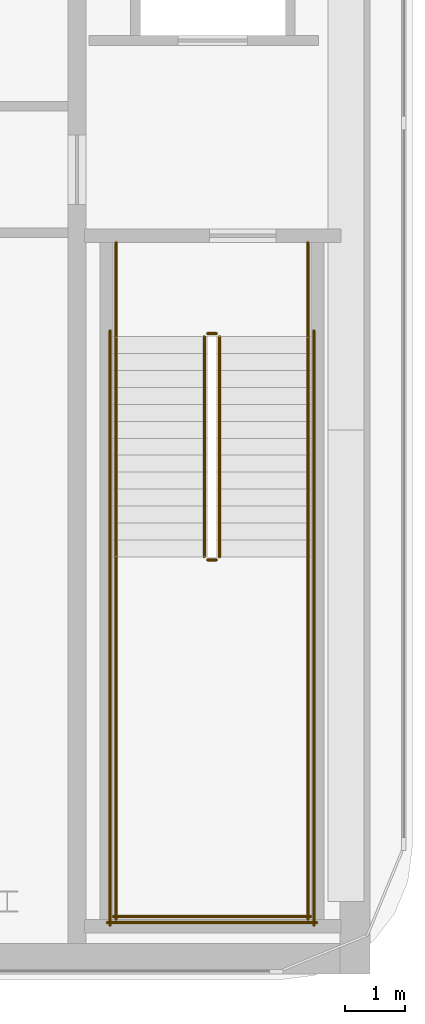
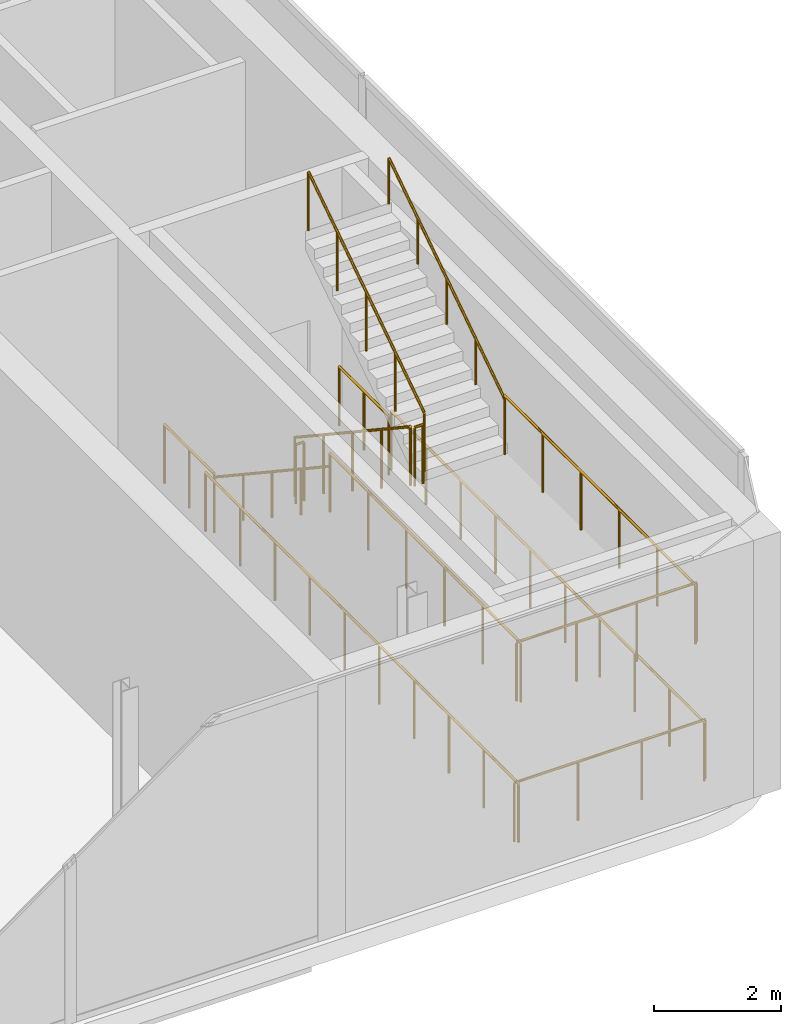
# One storey, part 13 of 14: 14 railings.
"""IFC4 building model written with IfcOpenShell, lengths in metres."""

import ifcopenshell
import ifcopenshell.guid

model = None  # the IFC model being written
_history = None  # IfcOwnerHistory: only IFC2X3 demands one
_inside = {}  # id of a spatial element -> (the spatial element, [elements in it])
_under = {}  # id of a project, library or spatial element -> (it, [spatial elements below it])
_declared = {}  # id of a project -> (the project, [libraries it declares])
_typed = {}  # id of a type object -> (the type object, [elements of that type])
_made_of = {}  # id of a material, layer set ... -> (it, [elements and type objects made of it])


def new_model(schema):
    """Start an empty IFC model of exactly this schema.

    Asked for "IFC4X3", IfcOpenShell would pick the latest addendum, in which some entities
    have other attributes; the version numbers below select the first issue.
    IFC2X3 requires an IfcOwnerHistory on every rooted entity: one is made here for all.
    """
    global model, _history
    if schema == "IFC4X3":
        model = ifcopenshell.file(schema_version=(4, 3, 0, 0))
    else:
        model = ifcopenshell.file(schema=schema)
    _inside.clear()
    _under.clear()
    _declared.clear()
    _typed.clear()
    _made_of.clear()
    _history = None
    if model.schema == "IFC2X3":
        org = make("IfcOrganization", Name="unknown")
        user = make(
            "IfcPersonAndOrganization",
            ThePerson=make("IfcPerson", FamilyName="unknown"),
            TheOrganization=org,
        )
        app = make(
            "IfcApplication",
            ApplicationDeveloper=org,
            Version="unknown",
            ApplicationFullName="unknown",
            ApplicationIdentifier="unknown",
        )
        _history = make(
            "IfcOwnerHistory",
            OwningUser=user,
            OwningApplication=app,
            ChangeAction="ADDED",
            CreationDate=0,
        )
    return model


def make(cls, **values):
    """One entity of the class cls with the attributes given. An attribute that is None is left unset."""
    return model.create_entity(
        cls, **{name: value for name, value in values.items() if value is not None}
    )


def rooted(cls, **values):
    """An entity with a GlobalId (a new one), such as an element, a storey or a relation."""
    return make(cls, GlobalId=ifcopenshell.guid.new(), OwnerHistory=_history, **values)


def si_unit(unit_type, name, prefix=None):
    """IfcSIUnit, for example si_unit("LENGTHUNIT", "METRE", prefix="MILLI")."""
    return make("IfcSIUnit", UnitType=unit_type, Prefix=prefix, Name=name)


def assignment(units):
    """IfcUnitAssignment: the units of a project."""
    return None if units is None else make("IfcUnitAssignment", Units=units)


def point(xyz):
    """IfcCartesianPoint."""
    return None if xyz is None else make("IfcCartesianPoint", Coordinates=xyz)


def direction(xyz):
    """IfcDirection."""
    return None if xyz is None else make("IfcDirection", DirectionRatios=xyz)


def frame(location, z_axis=None, x_axis=None):
    """IfcAxis2Placement3D, a coordinate frame: its origin and axes. An axis left out is left unset."""
    return make(
        "IfcAxis2Placement3D",
        Location=point(location),
        Axis=direction(z_axis),
        RefDirection=direction(x_axis),
    )


def frame_2d(location, x_axis=None):
    """IfcAxis2Placement2D, a coordinate frame in the plane: its origin and x axis."""
    return make(
        "IfcAxis2Placement2D", Location=point(location), RefDirection=direction(x_axis)
    )


def origin():
    """The frame at (0, 0, 0) with its axes left unset."""
    return frame((0.0, 0.0, 0.0))


def origin_2d():
    """The frame at (0, 0) in the plane with its x axis left unset."""
    return frame_2d((0.0, 0.0))


def place(relative_to, where):
    """IfcLocalPlacement: puts the frame where relative to a parent placement (None: the world)."""
    return make(
        "IfcLocalPlacement", PlacementRelTo=relative_to, RelativePlacement=where
    )


def context(
    kind, dimensions, precision=None, world=None, true_north=None, identifier=None
):
    """IfcGeometricRepresentationContext, for example the 3D "Model" context."""
    return make(
        "IfcGeometricRepresentationContext",
        ContextIdentifier=identifier,
        ContextType=kind,
        CoordinateSpaceDimension=dimensions,
        Precision=precision,
        WorldCoordinateSystem=world,
        TrueNorth=true_north,
    )


def subcontext(parent, identifier, kind, view, scale=None):
    """IfcGeometricRepresentationSubContext, for example "Body" below "Model"."""
    return make(
        "IfcGeometricRepresentationSubContext",
        ContextIdentifier=identifier,
        ContextType=kind,
        ParentContext=parent,
        TargetScale=scale,
        TargetView=view,
    )


def project(units=None, contexts=None):
    """IfcProject with its units and contexts."""
    return rooted(
        "IfcProject",
        Name="project",
        RepresentationContexts=contexts,
        UnitsInContext=assignment(units),
    )


def spatial(cls, under=None, at=None, **own):
    """A site, building, storey or space (cls), placed at a placement, below another one or the project."""
    s = rooted(cls, ObjectPlacement=at, **own)
    if under is not None:
        _under.setdefault(under.id(), (under, []))[1].append(s)
    return s


def profile(cls, at=None, kind="AREA", **sizes):
    """A parametric profile (cls). Its sizes go by their IFC names, for example OverallWidth=200.0."""
    return make(cls, ProfileType=kind, Position=at, **sizes)


def circle(**sizes):
    """IfcCircleProfileDef."""
    return profile("IfcCircleProfileDef", **sizes)


def extrude(swept, where, along, depth):
    """IfcExtrudedAreaSolid: the profile swept, set in the frame where, extruded along a direction by depth."""
    return make(
        "IfcExtrudedAreaSolid",
        SweptArea=swept,
        Position=where,
        ExtrudedDirection=direction(along),
        Depth=depth,
    )


def shape(context_of_items, identifier, shape_type, items):
    """IfcShapeRepresentation: the items that make up one representation, for example the "Body"."""
    return make(
        "IfcShapeRepresentation",
        ContextOfItems=context_of_items,
        RepresentationIdentifier=identifier,
        RepresentationType=shape_type,
        Items=items,
    )


def material(Name=None, Category=None):
    """IfcMaterial."""
    return make("IfcMaterial", Name=Name, Category=Category)


def made_of(thing, what):
    """Note that an element or type object is made of a material, layer set ...; save() writes the relation."""
    if what is not None:
        _made_of.setdefault(what.id(), (what, []))[1].append(thing)
    return thing


def type_object(cls, material=None, **own):
    """A type object (cls), such as IfcWallType, which elements share."""
    return made_of(rooted(cls, **own), material)


def element(
    cls,
    number,
    at=None,
    inside=None,
    cuts=None,
    type_object=None,
    material=None,
    context=None,
    identifier="Body",
    shape_type=None,
    held_by="IfcProductDefinitionShape",
    body=None,
    shapes=None,
    **own,
):
    """One element of the class cls, such as IfcWall. Its Tag is "e" and its number.

    at: its placement. inside: the storey or other place that contains it. cuts: it is an
    opening in that element (IfcRelVoidsElement). A single representation is given by context,
    identifier, shape_type and body (its items); several are given by shapes. held_by: the class
    of the entity that holds the representations. save() writes the other relations.
    """
    e = rooted(cls, Tag="e%d" % number, ObjectPlacement=at, **own)
    if body is not None:
        shapes = [shape(context, identifier, shape_type, body)]
    if shapes is not None:
        e.Representation = make(held_by, Representations=shapes)
    if inside is not None:
        _inside.setdefault(inside.id(), (inside, []))[1].append(e)
    if cuts is not None:
        rooted(
            "IfcRelVoidsElement", RelatingBuildingElement=cuts, RelatedOpeningElement=e
        )
    if type_object is not None:
        _typed.setdefault(type_object.id(), (type_object, []))[1].append(e)
    return made_of(e, material)


def aggregate(whole, parts):
    """IfcRelAggregates: a whole, such as a stair, and the parts it consists of."""
    return rooted("IfcRelAggregates", RelatingObject=whole, RelatedObjects=parts)


def save(model, path):
    """Write the relations noted so far, then the file.

    IfcRelAggregates (storeys below a building ...), IfcRelContainedInSpatialStructure (elements
    in a storey), IfcRelDefinesByType, IfcRelAssociatesMaterial and IfcRelDeclares: one each for
    every whole, place, type object, material and project.
    """
    for whole, parts in _under.values():
        aggregate(whole, parts)
    for where, things in _inside.values():
        rooted(
            "IfcRelContainedInSpatialStructure",
            RelatedElements=things,
            RelatingStructure=where,
        )
    for kind, things in _typed.values():
        rooted("IfcRelDefinesByType", RelatedObjects=things, RelatingType=kind)
    for what, things in _made_of.values():
        rooted("IfcRelAssociatesMaterial", RelatedObjects=things, RelatingMaterial=what)
    for by, libraries in _declared.values():
        rooted("IfcRelDeclares", RelatingContext=by, RelatedDefinitions=libraries)
    model.write(path)


model = new_model("IFC4")

# Units and contexts
model_context = context("Model", 3, precision=1e-05, world=origin(), true_north=direction((0.0, 1.0)))
body_context = subcontext(model_context, "Body", "Model", "MODEL_VIEW")
ifc_project = project(units=[si_unit("LENGTHUNIT", "METRE"), si_unit("AREAUNIT", "SQUARE_METRE"), si_unit("VOLUMEUNIT", "CUBIC_METRE"), si_unit("PLANEANGLEUNIT", "RADIAN"), si_unit("MASSUNIT", "GRAM", prefix="KILO")], contexts=[model_context])

# Site, building, storey
site_placement = place(None, origin())
site = spatial("IfcSite", under=ifc_project, at=site_placement, CompositionType="ELEMENT")
building_placement = place(site_placement, origin())
building = spatial("IfcBuilding", under=site, at=building_placement, Name="Khairoan Windgate Tower", CompositionType="ELEMENT")
storey_placement = place(building_placement, frame((0.0, 0.0, 325.199951171875)))
storey = spatial("IfcBuildingStorey", under=building, at=storey_placement, Name="L78", CompositionType="ELEMENT", Elevation=325.199951171875)

# Railings
ifc_material_1 = material(Name="Anodised Bronze Aluminium 6063-T6", Category="aluminium")
railing_type_1 = type_object("IfcRailingType", Name="Stair Wall Handrail SHR-900", PredefinedType="HANDRAIL", material=ifc_material_1)
railing_1_placement = place(storey_placement, frame((16.199951171875, -9.260009765625, 0.185791015625)))
element("IfcRailing", 1, at=railing_1_placement, inside=storey, type_object=railing_type_1, Name="L78 ST1 stair handrail 1", PredefinedType="HANDRAIL", context=body_context, shape_type="SweptSolid", body=[
    extrude(circle(Radius=0.02392578125, at=origin_2d()), frame((0.0, 0.0, 0.8759765625), z_axis=(0.0, -0.833346510843, 0.552750932036), x_axis=(1.0, 0.0, 0.0)), (0.0, 0.0, 1.0), 4.367919921875),
    extrude(circle(Radius=0.02099609375, at=origin_2d()), origin(), (0.0, 0.0, 1.0), 0.851806640625),
    extrude(circle(Radius=0.02099609375, at=origin_2d()), frame((0.0, -0.909912109375, 0.603515625)), (0.0, 0.0, 1.0), 0.851806640625),
    extrude(circle(Radius=0.02099609375, at=origin_2d()), frame((0.0, -1.81982421875, 1.20703125)), (0.0, 0.0, 1.0), 0.851806640625),
    extrude(circle(Radius=0.02099609375, at=origin_2d()), frame((0.0, -2.72998046875, 1.810791015625)), (0.0, 0.0, 1.0), 0.851806640625),
    extrude(circle(Radius=0.02099609375, at=origin_2d()), frame((0.0, -3.639892578125, 2.414306640625)), (0.0, 0.0, 1.0), 0.851806640625),
])
railing_2_placement = place(storey_placement, frame((19.3701171875, -12.89990234375, 2.78564453125)))
element("IfcRailing", 2, at=railing_2_placement, inside=storey, type_object=railing_type_1, Name="L78 ST1 stair handrail 2", PredefinedType="HANDRAIL", context=body_context, shape_type="SweptSolid", body=[
    extrude(circle(Radius=0.02392578125, at=origin_2d()), frame((0.0, 0.0, 0.8759765625), z_axis=(0.0, 0.833346510843, 0.552750932036), x_axis=(-1.0, 0.0, 0.0)), (0.0, 0.0, 1.0), 4.367919921875),
    extrude(circle(Radius=0.02099609375, at=origin_2d()), origin(), (0.0, 0.0, 1.0), 0.851806640625),
    extrude(circle(Radius=0.02099609375, at=origin_2d()), frame((0.0, 0.909912109375, 0.603515625)), (0.0, 0.0, 1.0), 0.851806640625),
    extrude(circle(Radius=0.02099609375, at=origin_2d()), frame((0.0, 1.81982421875, 1.20703125)), (0.0, 0.0, 1.0), 0.851806640625),
    extrude(circle(Radius=0.02099609375, at=origin_2d()), frame((0.0, 2.72998046875, 1.810791015625)), (0.0, 0.0, 1.0), 0.851806640625),
    extrude(circle(Radius=0.02099609375, at=origin_2d()), frame((0.0, 3.639892578125, 2.414306640625)), (0.0, 0.0, 1.0), 0.851806640625),
])
ifc_material_2 = material(Name="Steel S355", Category="steel")
railing_type_2 = type_object("IfcRailingType", Name="Stairwell Safety Guardrail SGR-1150", PredefinedType="GUARDRAIL", material=ifc_material_2)
railing_3_placement = place(storey_placement, frame((17.659912109375, -9.260009765625, 0.185791015625)))
element("IfcRailing", 3, at=railing_3_placement, inside=storey, type_object=railing_type_2, Name="L78 ST1 stair guard 1", PredefinedType="GUARDRAIL", context=body_context, shape_type="SweptSolid", body=[
    extrude(circle(Radius=0.02392578125, at=origin_2d()), frame((0.0, 0.0, 1.1259765625), z_axis=(0.0, -0.833346510843, 0.552750932036), x_axis=(1.0, 0.0, 0.0)), (0.0, 0.0, 1.0), 4.367919921875),
    extrude(circle(Radius=0.02099609375, at=origin_2d()), origin(), (0.0, 0.0, 1.0), 1.101806640625),
    extrude(circle(Radius=0.02099609375, at=origin_2d()), frame((0.0, -0.909912109375, 0.603515625)), (0.0, 0.0, 1.0), 1.101806640625),
    extrude(circle(Radius=0.02099609375, at=origin_2d()), frame((0.0, -1.81982421875, 1.20703125)), (0.0, 0.0, 1.0), 1.101806640625),
    extrude(circle(Radius=0.02099609375, at=origin_2d()), frame((0.0, -2.72998046875, 1.810791015625)), (0.0, 0.0, 1.0), 1.101806640625),
    extrude(circle(Radius=0.02099609375, at=origin_2d()), frame((0.0, -3.639892578125, 2.414306640625)), (0.0, 0.0, 1.0), 1.101806640625),
])
railing_4_placement = place(storey_placement, frame((17.7099609375, -12.949951171875, 2.60009765625)))
element("IfcRailing", 4, at=railing_4_placement, inside=storey, type_object=railing_type_2, Name="L78 ST1 stair guard 2", PredefinedType="GUARDRAIL", context=body_context, shape_type="SweptSolid", body=[
    extrude(circle(Radius=0.02392578125, at=origin_2d()), frame((0.0, 0.0, 1.1259765625), z_axis=(1.0, 0.0, 0.0), x_axis=(0.0, 1.0, 0.0)), (0.0, 0.0, 1.0), 0.150146484375),
    extrude(circle(Radius=0.02099609375, at=origin_2d()), origin(), (0.0, 0.0, 1.0), 1.101806640625),
    extrude(circle(Radius=0.02099609375, at=origin_2d()), frame((0.150146484375, 0.0, 0.0)), (0.0, 0.0, 1.0), 1.101806640625),
])
for number, where, name in (
    (5, (16.199951171875, -12.89990234375, 2.60009765625), "L78 ST1 stair guard 3"),
    (6, (19.3701171875, -12.89990234375, 2.60009765625), "L78 ST1 stair guard 4"),
):
    element("IfcRailing", number, at=place(storey_placement, frame(where)), inside=storey, type_object=railing_type_2, Name=name, PredefinedType="GUARDRAIL", context=body_context, shape_type="SweptSolid", body=[
        extrude(circle(Radius=0.02392578125, at=origin_2d()), frame((0.0, 0.0, 1.1259765625), z_axis=(0.0, -1.0, 0.0), x_axis=(1.0, 0.0, 0.0)), (0.0, 0.0, 1.0), 6.0),
        extrude(circle(Radius=0.02099609375, at=origin_2d()), origin(), (0.0, 0.0, 1.0), 1.101806640625),
        extrude(circle(Radius=0.02099609375, at=origin_2d()), frame((0.0, -1.199951171875, 0.0)), (0.0, 0.0, 1.0), 1.101806640625),
        extrude(circle(Radius=0.02099609375, at=origin_2d()), frame((0.0, -2.39990234375, 0.0)), (0.0, 0.0, 1.0), 1.101806640625),
        extrude(circle(Radius=0.02099609375, at=origin_2d()), frame((0.0, -3.60009765625, 0.0)), (0.0, 0.0, 1.0), 1.101806640625),
        extrude(circle(Radius=0.02099609375, at=origin_2d()), frame((0.0, -4.800048828125, 0.0)), (0.0, 0.0, 1.0), 1.101806640625),
        extrude(circle(Radius=0.02099609375, at=origin_2d()), frame((0.0, -6.0, 0.0)), (0.0, 0.0, 1.0), 1.101806640625),
    ])
railing_5_placement = place(storey_placement, frame((16.14990234375, -18.85009765625, 2.60009765625)))
element("IfcRailing", 7, at=railing_5_placement, inside=storey, type_object=railing_type_2, Name="L78 ST1 stair guard 5", PredefinedType="GUARDRAIL", context=body_context, shape_type="SweptSolid", body=[
    extrude(circle(Radius=0.02392578125, at=origin_2d()), frame((0.0, 0.0, 1.1259765625), z_axis=(1.0, 0.0, 0.0), x_axis=(0.0, 1.0, 0.0)), (0.0, 0.0, 1.0), 3.27001953125),
    extrude(circle(Radius=0.02099609375, at=origin_2d()), origin(), (0.0, 0.0, 1.0), 1.101806640625),
    extrude(circle(Radius=0.02099609375, at=origin_2d()), frame((1.090087890625, 0.0, 0.0)), (0.0, 0.0, 1.0), 1.101806640625),
    extrude(circle(Radius=0.02099609375, at=origin_2d()), frame((2.179931640625, 0.0, 0.0)), (0.0, 0.0, 1.0), 1.101806640625),
    extrude(circle(Radius=0.02099609375, at=origin_2d()), frame((3.27001953125, 0.0, 0.0)), (0.0, 0.0, 1.0), 1.101806640625),
])
railing_6_placement = place(storey_placement, frame((17.909912109375, -12.89990234375, 2.78564453125)))
element("IfcRailing", 8, at=railing_6_placement, inside=storey, type_object=railing_type_2, Name="L78 ST1 stair guard 6", PredefinedType="GUARDRAIL", context=body_context, shape_type="SweptSolid", body=[
    extrude(circle(Radius=0.02392578125, at=origin_2d()), frame((0.0, 0.0, 1.1259765625), z_axis=(0.0, 0.833346510843, 0.552750932036), x_axis=(-1.0, 0.0, 0.0)), (0.0, 0.0, 1.0), 4.367919921875),
    extrude(circle(Radius=0.02099609375, at=origin_2d()), origin(), (0.0, 0.0, 1.0), 1.101806640625),
    extrude(circle(Radius=0.02099609375, at=origin_2d()), frame((0.0, 0.909912109375, 0.603515625)), (0.0, 0.0, 1.0), 1.101806640625),
    extrude(circle(Radius=0.02099609375, at=origin_2d()), frame((0.0, 1.81982421875, 1.20703125)), (0.0, 0.0, 1.0), 1.101806640625),
    extrude(circle(Radius=0.02099609375, at=origin_2d()), frame((0.0, 2.72998046875, 1.810791015625)), (0.0, 0.0, 1.0), 1.101806640625),
    extrude(circle(Radius=0.02099609375, at=origin_2d()), frame((0.0, 3.639892578125, 2.414306640625)), (0.0, 0.0, 1.0), 1.101806640625),
])
railing_7_placement = place(storey_placement, frame((17.7099609375, -9.2099609375, 0.0)))
element("IfcRailing", 9, at=railing_7_placement, inside=storey, type_object=railing_type_2, Name="L78 ST1 stair guard 7", PredefinedType="GUARDRAIL", context=body_context, shape_type="SweptSolid", body=[
    extrude(circle(Radius=0.02392578125, at=origin_2d()), frame((0.0, 0.0, 1.1259765625), z_axis=(1.0, 0.0, 0.0), x_axis=(0.0, 1.0, 0.0)), (0.0, 0.0, 1.0), 0.150146484375),
    extrude(circle(Radius=0.02099609375, at=origin_2d()), origin(), (0.0, 0.0, 1.0), 1.101806640625),
    extrude(circle(Radius=0.02099609375, at=origin_2d()), frame((0.150146484375, 0.0, 0.0)), (0.0, 0.0, 1.0), 1.101806640625),
])
for number, where, name in (
    (10, (16.199951171875, -7.699951171875, 0.0), "L78 ST1 stair guard 8"),
    (11, (19.3701171875, -7.699951171875, 0.0), "L78 ST1 stair guard 9"),
):
    element("IfcRailing", number, at=place(storey_placement, frame(where)), inside=storey, type_object=railing_type_2, Name=name, PredefinedType="GUARDRAIL", context=body_context, shape_type="SweptSolid", body=[
        extrude(circle(Radius=0.02392578125, at=origin_2d()), frame((0.0, 0.0, 1.1259765625), z_axis=(0.0, -1.0, 0.0), x_axis=(1.0, 0.0, 0.0)), (0.0, 0.0, 1.0), 1.56005859375),
        extrude(circle(Radius=0.02099609375, at=origin_2d()), origin(), (0.0, 0.0, 1.0), 1.101806640625),
        extrude(circle(Radius=0.02099609375, at=origin_2d()), frame((0.0, -0.780029296875, 0.0)), (0.0, 0.0, 1.0), 1.101806640625),
        extrude(circle(Radius=0.02099609375, at=origin_2d()), frame((0.0, -1.56005859375, 0.0)), (0.0, 0.0, 1.0), 1.101806640625),
    ])
for number, where, name in (
    (12, (16.10009765625, -9.159912109375, 0.0), "L78 ST1 stair guard 10"),
    (13, (19.469970703125, -9.159912109375, 0.0), "L78 ST1 stair guard 11"),
):
    element("IfcRailing", number, at=place(storey_placement, frame(where)), inside=storey, type_object=railing_type_2, Name=name, PredefinedType="GUARDRAIL", context=body_context, shape_type="SweptSolid", body=[
        extrude(circle(Radius=0.02392578125, at=origin_2d()), frame((0.0, 0.0, 1.1259765625), z_axis=(0.0, -1.0, 0.0), x_axis=(1.0, 0.0, 0.0)), (0.0, 0.0, 1.0), 9.840087890625),
        extrude(circle(Radius=0.02099609375, at=origin_2d()), origin(), (0.0, 0.0, 1.0), 1.101806640625),
        extrude(circle(Radius=0.02099609375, at=origin_2d()), frame((0.0, -1.09326171875, 0.0)), (0.0, 0.0, 1.0), 1.101806640625),
        extrude(circle(Radius=0.02099609375, at=origin_2d()), frame((0.0, -2.186767578125, 0.0)), (0.0, 0.0, 1.0), 1.101806640625),
        extrude(circle(Radius=0.02099609375, at=origin_2d()), frame((0.0, -3.280029296875, 0.0)), (0.0, 0.0, 1.0), 1.101806640625),
        extrude(circle(Radius=0.02099609375, at=origin_2d()), frame((0.0, -4.373291015625, 0.0)), (0.0, 0.0, 1.0), 1.101806640625),
        extrude(circle(Radius=0.02099609375, at=origin_2d()), frame((0.0, -5.466796875, 0.0)), (0.0, 0.0, 1.0), 1.101806640625),
        extrude(circle(Radius=0.02099609375, at=origin_2d()), frame((0.0, -6.56005859375, 0.0)), (0.0, 0.0, 1.0), 1.101806640625),
        extrude(circle(Radius=0.02099609375, at=origin_2d()), frame((0.0, -7.6533203125, 0.0)), (0.0, 0.0, 1.0), 1.101806640625),
        extrude(circle(Radius=0.02099609375, at=origin_2d()), frame((0.0, -8.746826171875, 0.0)), (0.0, 0.0, 1.0), 1.101806640625),
        extrude(circle(Radius=0.02099609375, at=origin_2d()), frame((0.0, -9.840087890625, 0.0)), (0.0, 0.0, 1.0), 1.101806640625),
    ])
railing_8_placement = place(storey_placement, frame((16.050048828125, -18.949951171875, 0.0)))
element("IfcRailing", 14, at=railing_8_placement, inside=storey, type_object=railing_type_2, Name="L78 ST1 stair guard 12", PredefinedType="GUARDRAIL", context=body_context, shape_type="SweptSolid", body=[
    extrude(circle(Radius=0.02392578125, at=origin_2d()), frame((0.0, 0.0, 1.1259765625), z_axis=(1.0, 0.0, 0.0), x_axis=(0.0, 1.0, 0.0)), (0.0, 0.0, 1.0), 3.469970703125),
    extrude(circle(Radius=0.02099609375, at=origin_2d()), origin(), (0.0, 0.0, 1.0), 1.101806640625),
    extrude(circle(Radius=0.02099609375, at=origin_2d()), frame((1.15673828125, 0.0, 0.0)), (0.0, 0.0, 1.0), 1.101806640625),
    extrude(circle(Radius=0.02099609375, at=origin_2d()), frame((2.313232421875, 0.0, 0.0)), (0.0, 0.0, 1.0), 1.101806640625),
    extrude(circle(Radius=0.02099609375, at=origin_2d()), frame((3.469970703125, 0.0, 0.0)), (0.0, 0.0, 1.0), 1.101806640625),
])

save(model, "model.ifc")
